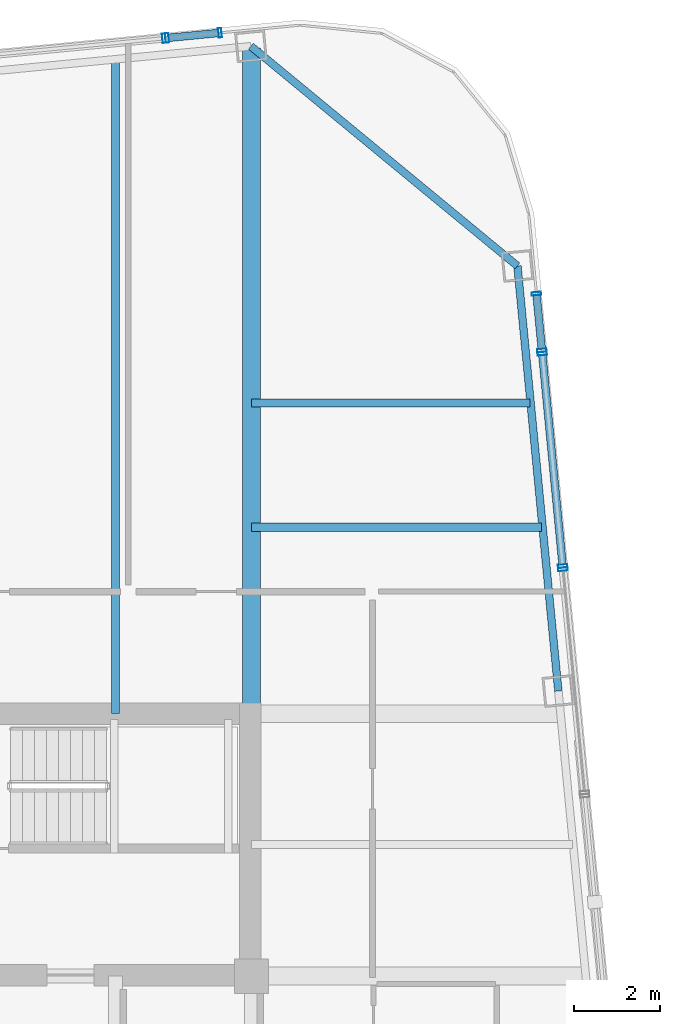
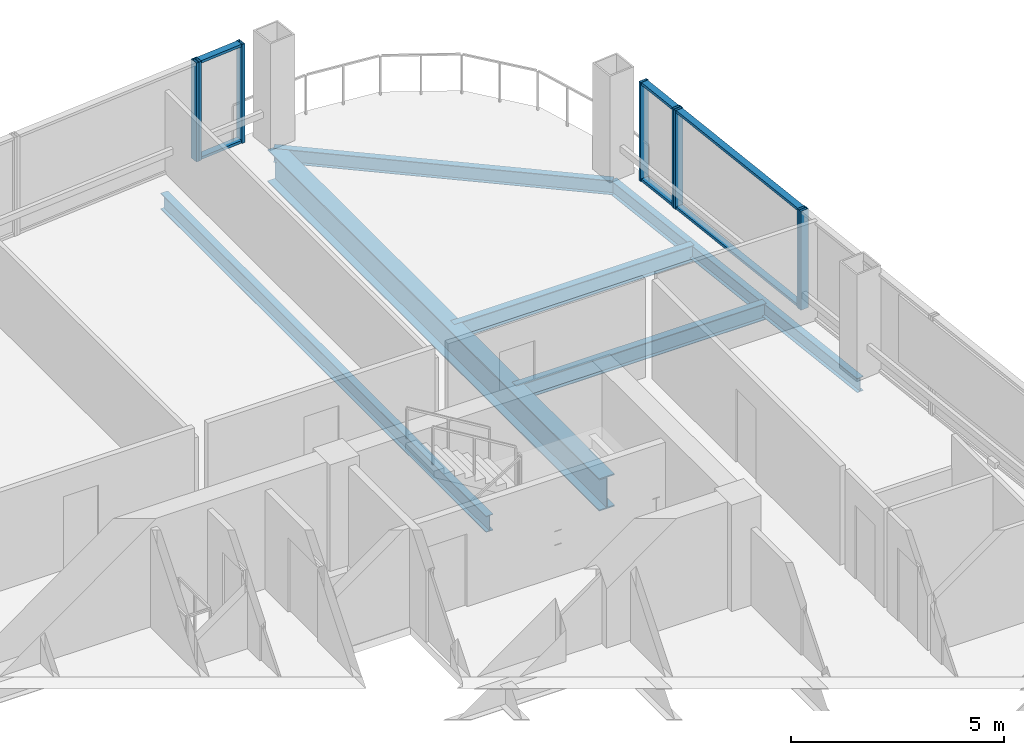
# One storey, part 22 of 29: 14 members, 6 beams, 5 elements without a shape of their own.
"""IFC4 building model written with IfcOpenShell, lengths in metres."""

from ifc_helpers import new_model, si_unit, direction, frame, origin, origin_2d, place, context, subcontext, project, spatial, hollow_rectangle, i_section, extrude, material, layer, layer_set, material_profile, profile_set, type_object, element, aggregate, save


model = new_model("IFC4")

# Units and contexts
model_context = context("Model", 3, precision=1e-05, world=origin(), true_north=direction((0.0, 1.0)))
body_context = subcontext(model_context, "Body", "Model", "MODEL_VIEW")
ifc_project = project(units=[si_unit("LENGTHUNIT", "METRE"), si_unit("AREAUNIT", "SQUARE_METRE"), si_unit("VOLUMEUNIT", "CUBIC_METRE"), si_unit("PLANEANGLEUNIT", "RADIAN"), si_unit("MASSUNIT", "GRAM", prefix="KILO")], contexts=[model_context])

# Site, building, storey
site_placement = place(None, origin())
site = spatial("IfcSite", under=ifc_project, at=site_placement, CompositionType="ELEMENT")
building_placement = place(site_placement, origin())
building = spatial("IfcBuilding", under=site, at=building_placement, Name="Qhalaya Broadcast Tower", CompositionType="ELEMENT")
storey_placement = place(building_placement, frame((0.0, 0.0, 177.5)))
storey = spatial("IfcBuildingStorey", under=building, at=storey_placement, Name="L52", CompositionType="ELEMENT", Elevation=177.5)

# Beams
ifc_material_1 = material(Name="Structural Steel ASTM A992 Grade 50", Category="steel")
ifc_material_profile_1 = material_profile(ifc_material_1, i_section(OverallWidth=0.19189453125, OverallDepth=0.462890625, WebThickness=0.010498046875, FlangeThickness=0.017578125, at=origin_2d()), Name="W18X60")
ifc_profile_set_1 = profile_set([ifc_material_profile_1], Name="Structural Steel ASTM A992 Grade 50")
beam_type_1 = type_object("IfcBeamType", Name="Composite Floor Joist J03", PredefinedType="JOIST", material=ifc_profile_set_1)
beam_1_placement = place(storey_placement, frame((6.199951171875, 9.949951171875, -0.451416015625), z_axis=(0.0, 1.0, 0.0), x_axis=(-1.0, 0.0, 0.0)))
element("IfcBeam", 1, at=beam_1_placement, inside=storey, type_object=beam_type_1, Name="L52 J03 L52-JNN5-1", PredefinedType="JOIST", context=body_context, shape_type="SweptSolid", body=[
    extrude(i_section(OverallWidth=0.19189453125, OverallDepth=0.462890625, WebThickness=0.010498046875, FlangeThickness=0.017578125, at=origin_2d()), origin(), (0.0, 0.0, 1.0), 15.25341796875),
])
beam_2_placement = place(storey_placement, frame((9.375, 14.300048828125, -0.451416015625), z_axis=(1.0, 0.0, 0.0), x_axis=(0.0, 1.0, 0.0)))
element("IfcBeam", 2, at=beam_2_placement, inside=storey, type_object=beam_type_1, Name="L52 J03 L52-JWE6E-1", PredefinedType="JOIST", context=body_context, shape_type="SweptSolid", body=[
    extrude(i_section(OverallWidth=0.19189453125, OverallDepth=0.462890625, WebThickness=0.010498046875, FlangeThickness=0.017578125, at=origin_2d()), origin(), (0.0, 0.0, 1.0), 6.7744140625),
])
beam_3_placement = place(storey_placement, frame((9.375, 17.199951171875, -0.451416015625), z_axis=(1.0, 0.0, 0.0), x_axis=(0.0, 1.0, 0.0)))
element("IfcBeam", 3, at=beam_3_placement, inside=storey, type_object=beam_type_1, Name="L52 J03 L52-JWE7E-1", PredefinedType="JOIST", context=body_context, shape_type="SweptSolid", body=[
    extrude(i_section(OverallWidth=0.19189453125, OverallDepth=0.462890625, WebThickness=0.010498046875, FlangeThickness=0.017578125, at=origin_2d()), origin(), (0.0, 0.0, 1.0), 6.4951171875),
])
ifc_material_profile_2 = material_profile(ifc_material_1, i_section(OverallWidth=0.4189453125, OverallDepth=0.927001953125, WebThickness=0.019287109375, FlangeThickness=0.031982421875, at=origin_2d()), Name="W36X231")
ifc_profile_set_2 = profile_set([ifc_material_profile_2], Name="Structural Steel ASTM A992 Grade 50")
beam_type_2 = type_object("IfcBeamType", Name="Mid Block Primary Girder PG3", PredefinedType="USERDEFINED", material=ifc_profile_set_2)
beam_4_placement = place(storey_placement, frame((9.375, 9.949951171875, -0.68359375), z_axis=(0.0, 1.0, 0.0), x_axis=(-1.0, 0.0, 0.0)))
element("IfcBeam", 4, at=beam_4_placement, inside=storey, type_object=beam_type_2, Name="L52 PG3 L52-PGXN2-1", ObjectType="GIRDER", PredefinedType="USERDEFINED", context=body_context, shape_type="SweptSolid", body=[
    extrude(i_section(OverallWidth=0.4189453125, OverallDepth=0.927001953125, WebThickness=0.019287109375, FlangeThickness=0.031982421875, at=origin_2d()), origin(), (0.0, 0.0, 1.0), 15.541259765625),
])

# Curtain wall, member
ifc_material_2 = material(Name="Solar-Control Low-E Triple Glazing", Category="glass")
ifc_layer_1 = layer(ifc_material_2, 0.219970703125, Name="Solar-Control Low-E Triple Glazing")
ifc_layer_set_1 = layer_set([ifc_layer_1], Name="Solar-Control Low-E Triple Glazing")
curtain_wall_type_1 = type_object("IfcCurtainWallType", Name="Even-Block 4-Storey Double-Module Curtain Wall CW-03", PredefinedType="NOTDEFINED", material=ifc_layer_set_1)
curtain_wall_1_placement = place(storey_placement, origin())
curtain_wall_1 = element("IfcCurtainWall", 5, at=curtain_wall_1_placement, inside=storey, type_object=curtain_wall_type_1, Name="L52 Unitised Curtain Wall L52-CW-E5", PredefinedType="NOTDEFINED")
ifc_material_3 = material(Name="Anodised Aluminium 6063-T6", Category="aluminium")
ifc_material_profile_3 = material_profile(ifc_material_3, hollow_rectangle(XDim=0.074951171875, YDim=0.219970703125, WallThickness=0.00390625, at=origin_2d()), Name="ALU-MUL 75x220x4")
ifc_profile_set_3 = profile_set([ifc_material_profile_3], Name="Anodised Aluminium 6063-T6")
member_type_1 = type_object("IfcMemberType", Name="Unitised Curtain-Wall Mullion M01", PredefinedType="MULLION", material=ifc_profile_set_3)
member_1_placement = place(storey_placement, frame((16.6455078125, 13.3212890625, 0.0), z_axis=(0.0, 0.0, 1.0), x_axis=(-0.095837976406, 0.995396947091, 0.0)))
member_1 = element("IfcMember", 6, at=member_1_placement, type_object=member_type_1, Name="CW-03 mullion 2", PredefinedType="MULLION", context=body_context, shape_type="SweptSolid", body=[
    extrude(hollow_rectangle(XDim=0.074951171875, YDim=0.219970703125, WallThickness=0.00390625, at=origin_2d()), origin(), (0.0, 0.0, 1.0), 2.830078125),
])
aggregate(curtain_wall_1, [member_1])

# Curtain wall, members
ifc_material_4 = material(Name="Fired Architectural Terracotta", Category="masonry")
ifc_layer_2 = layer(ifc_material_4, 0.219970703125, Name="Fired Architectural Terracotta")
ifc_layer_set_2 = layer_set([ifc_layer_2], Name="Fired Architectural Terracotta")
curtain_wall_type_2 = type_object("IfcCurtainWallType", Name="Block-Cap Unitised Terracotta Spandrel Wall CW-07", PredefinedType="NOTDEFINED", material=ifc_layer_set_2)
curtain_wall_2_placement = place(storey_placement, origin())
curtain_wall_2 = element("IfcCurtainWall", 7, at=curtain_wall_2_placement, inside=storey, type_object=curtain_wall_type_2, Name="L52 Unitised Curtain Wall L52-CW-E6", PredefinedType="NOTDEFINED")
member_2_placement = place(storey_placement, frame((16.638427734375, 13.39599609375, 0.0), z_axis=(0.0, 0.0, 1.0), x_axis=(-0.095846949325, 0.995396083127, 0.0)))
member_2 = element("IfcMember", 8, at=member_2_placement, type_object=member_type_1, Name="CW-07 mullion 1", PredefinedType="MULLION", context=body_context, shape_type="SweptSolid", body=[
    extrude(hollow_rectangle(XDim=0.074951171875, YDim=0.219970703125, WallThickness=0.00390625, at=origin_2d()), origin(), (0.0, 0.0, 1.0), 2.830078125),
])
member_3_placement = place(storey_placement, frame((16.160888671875, 18.35400390625, 0.0), z_axis=(0.0, 0.0, 1.0), x_axis=(-0.095846949325, 0.995396083127, 0.0)))
member_3 = element("IfcMember", 9, at=member_3_placement, type_object=member_type_1, Name="CW-07 mullion 2", PredefinedType="MULLION", context=body_context, shape_type="SweptSolid", body=[
    extrude(hollow_rectangle(XDim=0.074951171875, YDim=0.219970703125, WallThickness=0.00390625, at=origin_2d()), origin(), (0.0, 0.0, 1.0), 2.830078125),
])

curtain_wall_3_placement = place(storey_placement, origin())
curtain_wall_3 = element("IfcCurtainWall", 10, at=curtain_wall_3_placement, inside=storey, type_object=curtain_wall_type_1, Name="L52 Unitised Curtain Wall L52-CW-E7", PredefinedType="NOTDEFINED")
member_4_placement = place(storey_placement, frame((16.15380859375, 18.4287109375, 0.0), z_axis=(0.0, 0.0, 1.0), x_axis=(-0.095873796301, 0.99539349766, 0.0)))
member_4 = element("IfcMember", 11, at=member_4_placement, type_object=member_type_1, Name="CW-03 mullion 1", PredefinedType="MULLION", context=body_context, shape_type="SweptSolid", body=[
    extrude(hollow_rectangle(XDim=0.074951171875, YDim=0.219970703125, WallThickness=0.00390625, at=origin_2d()), origin(), (0.0, 0.0, 1.0), 2.830078125),
])
member_5_placement = place(storey_placement, frame((16.026123046875, 19.75244140625, 0.0), z_axis=(0.0, 0.0, 1.0), x_axis=(-0.095873796301, 0.99539349766, 0.0)))
member_5 = element("IfcMember", 12, at=member_5_placement, type_object=member_type_1, Name="CW-03 mullion 2", PredefinedType="MULLION", context=body_context, shape_type="SweptSolid", body=[
    extrude(hollow_rectangle(XDim=0.074951171875, YDim=0.219970703125, WallThickness=0.00390625, at=origin_2d()), origin(), (0.0, 0.0, 1.0), 2.830078125),
])

curtain_wall_4_placement = place(storey_placement, origin())
curtain_wall_4 = element("IfcCurtainWall", 13, at=curtain_wall_4_placement, inside=storey, type_object=curtain_wall_type_1, Name="L52 Unitised Curtain Wall L52-CW-N1", PredefinedType="NOTDEFINED")
member_6_placement = place(storey_placement, frame((8.64111328125, 25.840087890625, 0.0), z_axis=(0.0, 0.0, 1.0), x_axis=(-0.99539857312, -0.095821086563, 0.0)))
member_6 = element("IfcMember", 14, at=member_6_placement, type_object=member_type_1, Name="CW-03 mullion 1", PredefinedType="MULLION", context=body_context, shape_type="SweptSolid", body=[
    extrude(hollow_rectangle(XDim=0.074951171875, YDim=0.219970703125, WallThickness=0.00390625, at=origin_2d()), origin(), (0.0, 0.0, 1.0), 2.830078125),
])
member_7_placement = place(storey_placement, frame((7.406982421875, 25.721435546875, 0.0), z_axis=(0.0, 0.0, 1.0), x_axis=(-0.99539857312, -0.095821086563, 0.0)))
member_7 = element("IfcMember", 15, at=member_7_placement, type_object=member_type_1, Name="CW-03 mullion 2", PredefinedType="MULLION", context=body_context, shape_type="SweptSolid", body=[
    extrude(hollow_rectangle(XDim=0.074951171875, YDim=0.219970703125, WallThickness=0.00390625, at=origin_2d()), origin(), (0.0, 0.0, 1.0), 2.830078125),
])

# Curtain wall, member
curtain_wall_5_placement = place(storey_placement, origin())
curtain_wall_5 = element("IfcCurtainWall", 16, at=curtain_wall_5_placement, inside=storey, type_object=curtain_wall_type_2, Name="L52 Unitised Curtain Wall L52-CW-N2", PredefinedType="NOTDEFINED")
member_8_placement = place(storey_placement, frame((7.332275390625, 25.714111328125, 0.0), z_axis=(0.0, 0.0, 1.0), x_axis=(-0.995395267059, -0.095855424032, 0.0)))
member_8 = element("IfcMember", 17, at=member_8_placement, type_object=member_type_1, Name="CW-07 mullion 1", PredefinedType="MULLION", context=body_context, shape_type="SweptSolid", body=[
    extrude(hollow_rectangle(XDim=0.074951171875, YDim=0.219970703125, WallThickness=0.00390625, at=origin_2d()), origin(), (0.0, 0.0, 1.0), 2.830078125),
])
aggregate(curtain_wall_5, [member_8])

# Member
ifc_material_profile_4 = material_profile(ifc_material_3, hollow_rectangle(XDim=0.074951171875, YDim=0.179931640625, WallThickness=0.00390625, at=origin_2d()), Name="ALU-TRN 75x180x4")
ifc_profile_set_4 = profile_set([ifc_material_profile_4], Name="Anodised Aluminium 6063-T6")
member_type_2 = type_object("IfcMemberType", Name="Unitised Curtain-Wall Transom T01", PredefinedType="USERDEFINED", material=ifc_profile_set_4)
member_9_placement = place(storey_placement, frame((16.634765625, 13.433349609375, 0.03759765625), z_axis=(-0.0958470571, 0.99539607275, 0.0), x_axis=(0.0, 0.0, 1.0)))
member_9 = element("IfcMember", 18, at=member_9_placement, type_object=member_type_2, Name="CW-07 transom 1.1", ObjectType="TRANSOM", PredefinedType="USERDEFINED", context=body_context, shape_type="SweptSolid", body=[
    extrude(hollow_rectangle(XDim=0.074951171875, YDim=0.179931640625, WallThickness=0.00390625, at=origin_2d()), origin(), (0.0, 0.0, 1.0), 4.906005859375),
])

member_10_placement = place(storey_placement, frame((16.634765625, 13.433349609375, 2.79248046875), z_axis=(-0.0958470571, 0.99539607275, 0.0), x_axis=(0.0, 0.0, 1.0)))
member_10 = element("IfcMember", 19, at=member_10_placement, type_object=member_type_2, Name="CW-07 transom 1.2", ObjectType="TRANSOM", PredefinedType="USERDEFINED", context=body_context, shape_type="SweptSolid", body=[
    extrude(hollow_rectangle(XDim=0.074951171875, YDim=0.179931640625, WallThickness=0.00390625, at=origin_2d()), origin(), (0.0, 0.0, 1.0), 4.906005859375),
])

aggregate(curtain_wall_2, [member_2, member_3, member_9, member_10])

member_11_placement = place(storey_placement, frame((16.150146484375, 18.466064453125, 0.03759765625), z_axis=(-0.095920015465, 0.995389044863, 0.0), x_axis=(0.0, 0.0, 1.0)))
member_11 = element("IfcMember", 20, at=member_11_placement, type_object=member_type_2, Name="CW-03 transom 1.1", ObjectType="TRANSOM", PredefinedType="USERDEFINED", context=body_context, shape_type="SweptSolid", body=[
    extrude(hollow_rectangle(XDim=0.074951171875, YDim=0.179931640625, WallThickness=0.00390625, at=origin_2d()), origin(), (0.0, 0.0, 1.0), 1.2548828125),
])

member_12_placement = place(storey_placement, frame((16.150146484375, 18.466064453125, 2.79248046875), z_axis=(-0.095920015465, 0.995389044863, 0.0), x_axis=(0.0, 0.0, 1.0)))
member_12 = element("IfcMember", 21, at=member_12_placement, type_object=member_type_2, Name="CW-03 transom 1.2", ObjectType="TRANSOM", PredefinedType="USERDEFINED", context=body_context, shape_type="SweptSolid", body=[
    extrude(hollow_rectangle(XDim=0.074951171875, YDim=0.179931640625, WallThickness=0.00390625, at=origin_2d()), origin(), (0.0, 0.0, 1.0), 1.2548828125),
])

aggregate(curtain_wall_3, [member_4, member_5, member_11, member_12])

member_13_placement = place(storey_placement, frame((8.603759765625, 25.836669921875, 0.03759765625), z_axis=(-0.995401729679, -0.095788290264, 0.0), x_axis=(0.0, 0.0, 1.0)))
member_13 = element("IfcMember", 22, at=member_13_placement, type_object=member_type_2, Name="CW-03 transom 1.1", ObjectType="TRANSOM", PredefinedType="USERDEFINED", context=body_context, shape_type="SweptSolid", body=[
    extrude(hollow_rectangle(XDim=0.074951171875, YDim=0.179931640625, WallThickness=0.00390625, at=origin_2d()), origin(), (0.0, 0.0, 1.0), 1.164794921875),
])

member_14_placement = place(storey_placement, frame((8.603759765625, 25.836669921875, 2.79248046875), z_axis=(-0.995401729679, -0.095788290264, 0.0), x_axis=(0.0, 0.0, 1.0)))
member_14 = element("IfcMember", 23, at=member_14_placement, type_object=member_type_2, Name="CW-03 transom 1.2", ObjectType="TRANSOM", PredefinedType="USERDEFINED", context=body_context, shape_type="SweptSolid", body=[
    extrude(hollow_rectangle(XDim=0.074951171875, YDim=0.179931640625, WallThickness=0.00390625, at=origin_2d()), origin(), (0.0, 0.0, 1.0), 1.164794921875),
])

aggregate(curtain_wall_4, [member_6, member_7, member_13, member_14])

# Beams
ifc_material_profile_5 = material_profile(ifc_material_1, i_section(OverallWidth=0.177978515625, OverallDepth=0.406005859375, WebThickness=0.0078125, FlangeThickness=0.0126953125, at=origin_2d()), Name="W16X40")
ifc_profile_set_5 = profile_set([ifc_material_profile_5], Name="Structural Steel ASTM A992 Grade 50")
beam_type_3 = type_object("IfcBeamType", Name="Upper Perimeter Spandrel Beam SP2", PredefinedType="SPANDREL", material=ifc_profile_set_5)
beam_5_placement = place(storey_placement, frame((16.537353515625, 10.4794921875, -0.423095703125), z_axis=(-0.095850563819, 0.99539573508, 0.0), x_axis=(-0.99539573508, -0.095850563819, 0.0)))
element("IfcBeam", 24, at=beam_5_placement, inside=storey, type_object=beam_type_3, Name="L52 SP2 L52-SPR-07", PredefinedType="SPANDREL", context=body_context, shape_type="SweptSolid", body=[
    extrude(i_section(OverallWidth=0.177978515625, OverallDepth=0.406005859375, WebThickness=0.0078125, FlangeThickness=0.0126953125, at=origin_2d()), origin(), (0.0, 0.0, 1.0), 9.966796875),
])
beam_6_placement = place(storey_placement, frame((15.58203125, 20.400390625, -0.423095703125), z_axis=(-0.771618906354, 0.636085107008, 0.0), x_axis=(-0.636085107008, -0.771618906354, 0.0)))
element("IfcBeam", 25, at=beam_6_placement, inside=storey, type_object=beam_type_3, Name="L52 SP2 L52-SPR-08", PredefinedType="SPANDREL", context=body_context, shape_type="SweptSolid", body=[
    extrude(i_section(OverallWidth=0.177978515625, OverallDepth=0.406005859375, WebThickness=0.0078125, FlangeThickness=0.0126953125, at=origin_2d()), origin(), (0.0, 0.0, 1.0), 8.06103515625),
])

save(model, "model.ifc")
